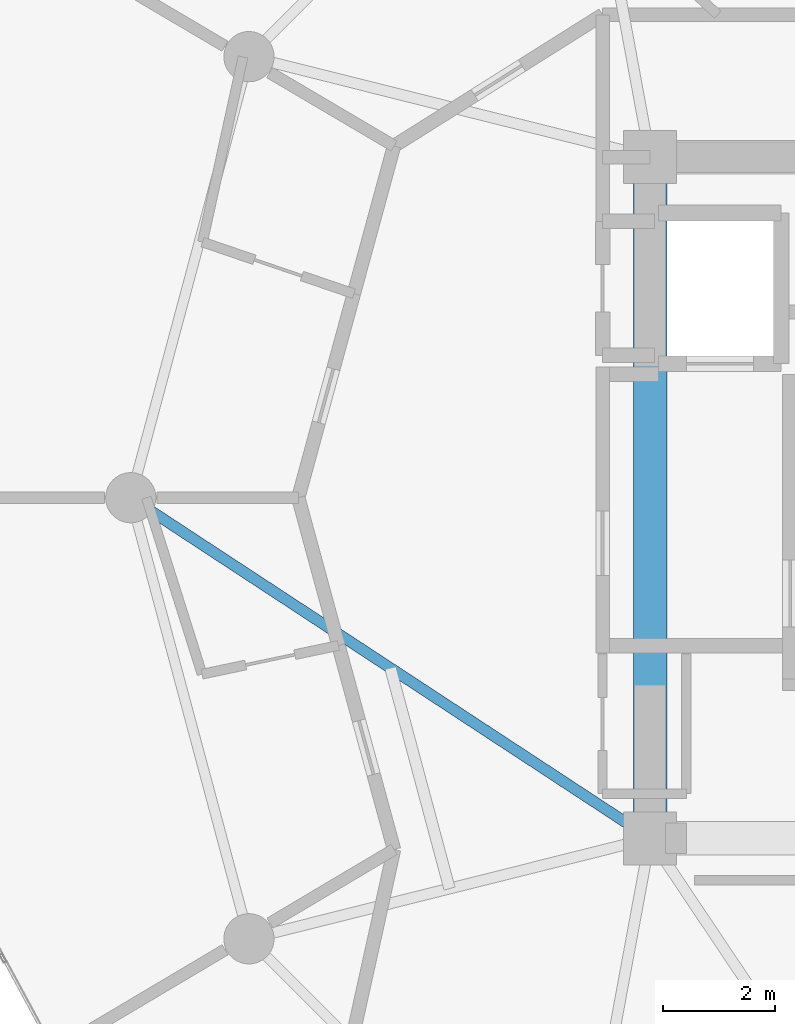
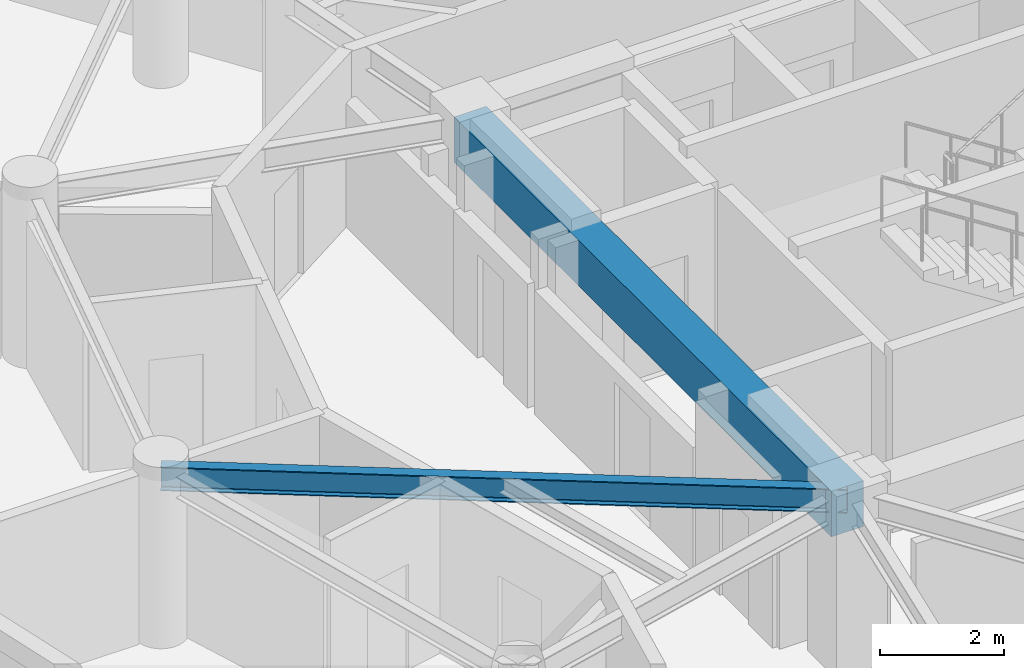
# One storey, part 8 of 23: 2 beams.
"""IFC4 building model written with IfcOpenShell, lengths in metres."""

from ifc_helpers import new_model, si_unit, direction, frame, origin, origin_2d, place, context, subcontext, project, spatial, rectangle, i_section, extrude, material, material_profile, profile_set, type_object, element, save


model = new_model("IFC4")

# Units and contexts
model_context = context("Model", 3, precision=1e-05, world=origin(), true_north=direction((0.0, 1.0)))
body_context = subcontext(model_context, "Body", "Model", "MODEL_VIEW")
ifc_project = project(units=[si_unit("LENGTHUNIT", "METRE"), si_unit("AREAUNIT", "SQUARE_METRE"), si_unit("VOLUMEUNIT", "CUBIC_METRE"), si_unit("PLANEANGLEUNIT", "RADIAN"), si_unit("MASSUNIT", "GRAM", prefix="KILO")], contexts=[model_context])

# Site, building, storey
site_placement = place(None, origin())
site = spatial("IfcSite", under=ifc_project, at=site_placement, CompositionType="ELEMENT")
building_placement = place(site_placement, origin())
building = spatial("IfcBuilding", under=site, at=building_placement, Name="Solvirekh Grand Hotel", CompositionType="ELEMENT")
storey_placement = place(building_placement, frame((0.0, 0.0, 176.800048828125)))
storey = spatial("IfcBuildingStorey", under=building, at=storey_placement, Name="L45", CompositionType="ELEMENT", Elevation=176.800048828125)

# Beams
ifc_material_1 = material(Name="Concrete C50/60", Category="concrete")
ifc_material_profile_1 = material_profile(ifc_material_1, rectangle(XDim=0.60009765625, YDim=0.89990234375, at=origin_2d()), Name="RC BEAM 600X900")
ifc_profile_set_1 = profile_set([ifc_material_profile_1], Name="Concrete C50/60")
beam_type_1 = type_object("IfcBeamType", Name="Beam_Core_RC900", PredefinedType="BEAM", material=ifc_profile_set_1)
beam_1_placement = place(storey_placement, frame((-6.5, 6.10009765625, 2.909912109375), z_axis=(0.0, -1.0, 0.0), x_axis=(1.0, 0.0, 0.0)))
element("IfcBeam", 1, at=beam_1_placement, inside=storey, type_object=beam_type_1, Name="L45 core coupling ring beam 4", PredefinedType="BEAM", context=body_context, shape_type="SweptSolid", body=[
    extrude(rectangle(XDim=0.60009765625, YDim=0.89990234375, at=origin_2d()), origin(), (0.0, 0.0, 1.0), 12.2001953125),
])
ifc_material_2 = material(Name="Steel S355", Category="steel")
ifc_material_profile_2 = material_profile(ifc_material_2, i_section(OverallWidth=0.194091796875, OverallDepth=0.468994140625, WebThickness=0.010986328125, FlangeThickness=0.01904296875, FilletRadius=0.012939453125, at=origin_2d()), Name="W460X106")
ifc_profile_set_2 = profile_set([ifc_material_profile_2], Name="Steel S355")
beam_type_2 = type_object("IfcBeamType", Name="Beam_Radial_W460H", PredefinedType="BEAM", material=ifc_profile_set_2)
beam_2_placement = place(storey_placement, frame((-6.5, -6.10009765625, 3.125), z_axis=(-0.836174064962, 0.548464158432, 0.0), x_axis=(-0.548464158432, -0.836174064962, 0.0)))
element("IfcBeam", 2, at=beam_2_placement, inside=storey, type_object=beam_type_2, Name="L45 radial floor beam R07", PredefinedType="BEAM", context=body_context, shape_type="SweptSolid", body=[
    extrude(i_section(OverallWidth=0.194091796875, OverallDepth=0.468994140625, WebThickness=0.010986328125, FlangeThickness=0.01904296875, FilletRadius=0.012939453125, at=origin_2d()), origin(), (0.0, 0.0, 1.0), 11.1220703125),
])

save(model, "model.ifc")
